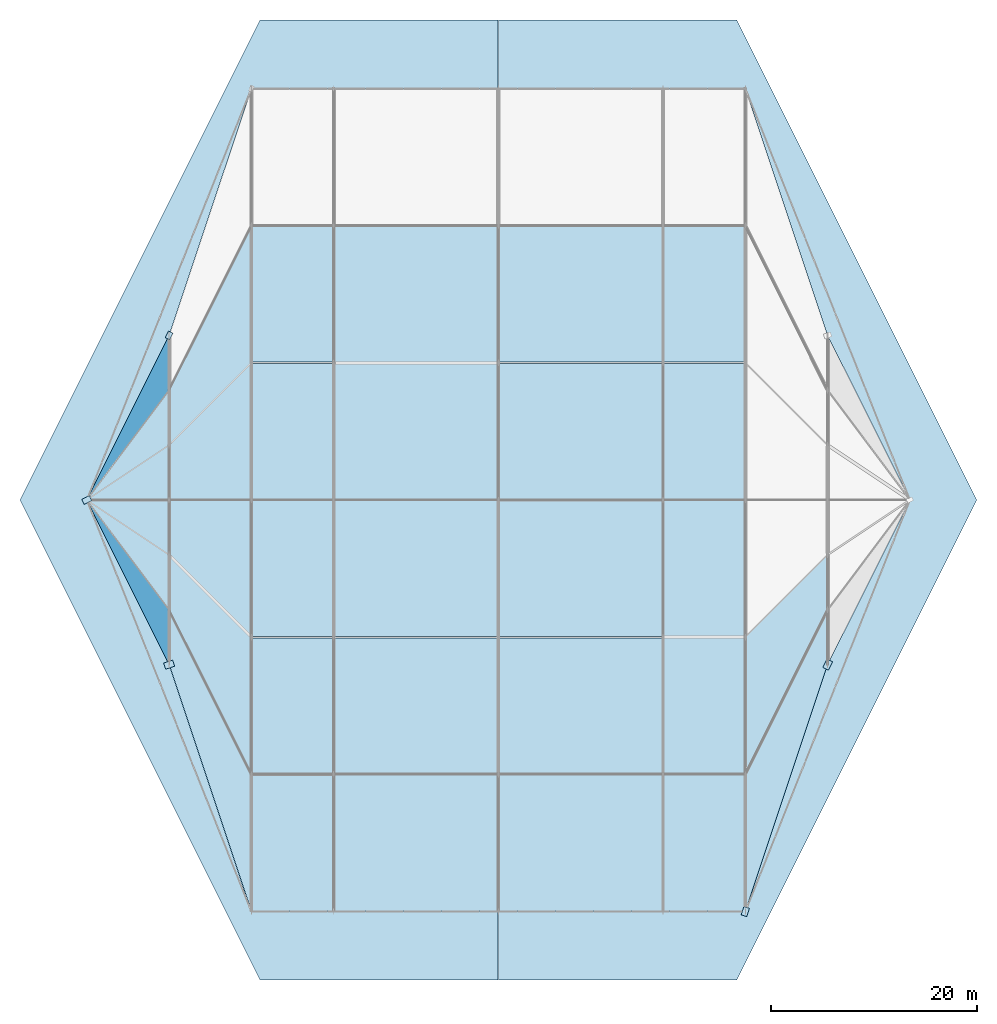
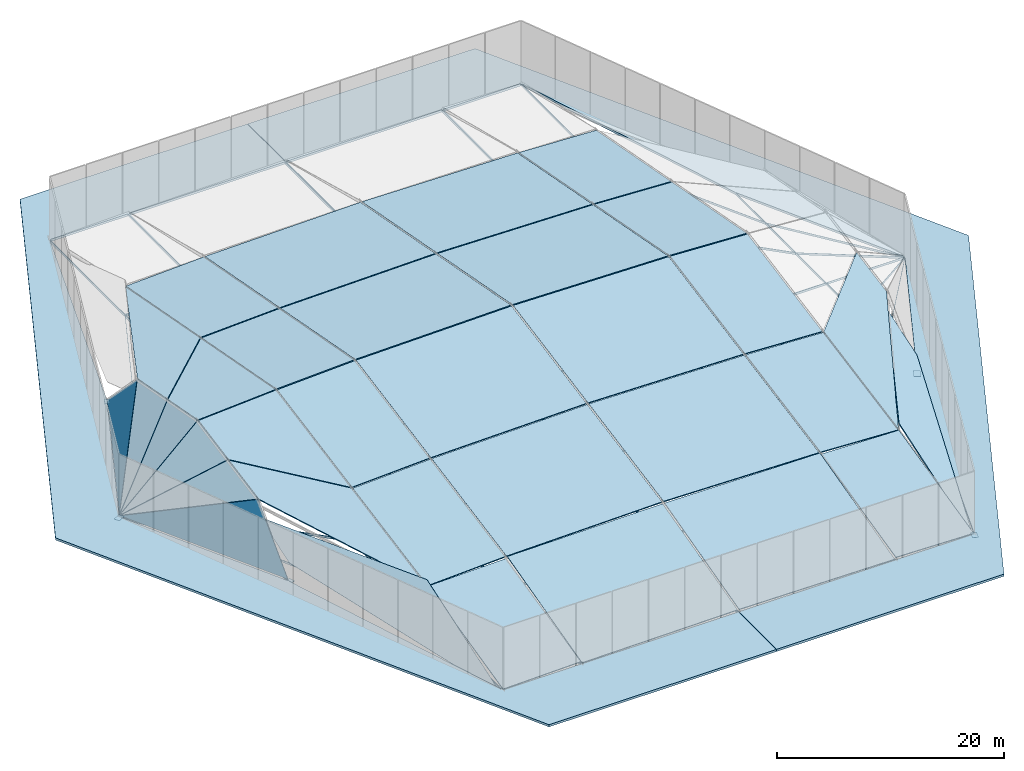
# One storey, part 20 of 30: 35 slabs, 5 plates.
"""IFC4 building model written with IfcOpenShell, lengths in metres."""

from ifc_helpers import new_model, si_unit, direction, frame, origin, origin_2d, place, context, subcontext, project, spatial, polyline, rectangle, outline, extrude, material, layer, layer_set, type_object, element, save


model = new_model("IFC4")

# Units and contexts
model_context = context("Model", 3, precision=1e-05, world=origin(), true_north=direction((0.0, 1.0)))
body_context = subcontext(model_context, "Body", "Model", "MODEL_VIEW")
ifc_project = project(units=[si_unit("LENGTHUNIT", "METRE"), si_unit("AREAUNIT", "SQUARE_METRE"), si_unit("VOLUMEUNIT", "CUBIC_METRE"), si_unit("PLANEANGLEUNIT", "RADIAN"), si_unit("MASSUNIT", "GRAM", prefix="KILO")], contexts=[model_context])

# Site, building, storey
site_placement = place(None, origin())
site = spatial("IfcSite", under=ifc_project, at=site_placement, CompositionType="ELEMENT")
building_placement = place(site_placement, origin())
building = spatial("IfcBuilding", under=site, at=building_placement, Name="Tazarka Park Arena", CompositionType="ELEMENT")
storey_placement = place(building_placement, frame((0.0, 0.0, 29.39990234375)))
storey = spatial("IfcBuildingStorey", under=building, at=storey_placement, Name="Roof", CompositionType="ELEMENT", Elevation=29.39990234375)

# Plates
ifc_material_1 = material(Name="Steel S460", Category="steel")
ifc_layer_1 = layer(ifc_material_1, 0.035888671875, Name="Steel S460")
ifc_layer_set_1 = layer_set([ifc_layer_1], Name="Steel S460")
plate_type_1 = type_object("IfcPlateType", Name="PLT-PL-02", PredefinedType="SHEET", material=ifc_layer_set_1)
plate_placement = place(storey_placement, frame((56.0, 80.0, -0.1376953125), z_axis=(0.0, 0.0, 1.0), x_axis=(0.447290848419, 0.89438856037, 0.0)))
element("IfcPlate", 1, at=plate_placement, inside=storey, type_object=plate_type_1, Name="RPL-17", PredefinedType="SHEET", context=body_context, shape_type="SweptSolid", body=[
    extrude(rectangle(XDim=0.719970703125, YDim=0.47998046875, at=origin_2d()), origin(), (0.0, 0.0, 1.0), 0.035888671875),
])
ifc_material_2 = material(Name="Steel S460", Category="steel")
ifc_layer_2 = layer(ifc_material_2, 0.0400390625, Name="Steel S460")
ifc_layer_set_2 = layer_set([ifc_layer_2], Name="Steel S460")
plate_type_2 = type_object("IfcPlateType", Name="PLT-PL-03", PredefinedType="SHEET", material=ifc_layer_set_2)
for number, where, z_axis, x_axis, name in (
    (2, (112.0, 24.0, -0.139892578125), (0.0, 0.0, 1.0), (0.316145823974, 0.948710608133, 0.0), "RPL-06"),
    (3, (48.0, 64.0, -0.139892578125), (0.0, 0.0, 1.0), (0.89438856037, 0.447290848419, 0.0), "RPL-18"),
):
    element("IfcPlate", number, at=place(storey_placement, frame(where, z_axis=z_axis, x_axis=x_axis)), inside=storey, type_object=plate_type_2, Name=name, PredefinedType="SHEET", context=body_context, shape_type="SweptSolid", body=[
        extrude(rectangle(XDim=0.840087890625, YDim=0.56005859375, at=origin_2d()), origin(), (0.0, 0.0, 1.0), 0.0400390625),
    ])
ifc_material_3 = material(Name="Steel S460", Category="steel")
ifc_layer_3 = layer(ifc_material_3, 0.0439453125, Name="Steel S460")
ifc_layer_set_3 = layer_set([ifc_layer_3], Name="Steel S460")
plate_type_3 = type_object("IfcPlateType", Name="PLT-PL-07", PredefinedType="SHEET", material=ifc_layer_set_3)
for number, where, z_axis, x_axis, name in (
    (4, (120.0, 48.0, -0.141845703125), (0.0, 0.0, 1.0), (0.447290848419, 0.89438856037, 0.0), "RPL-07"),
    (5, (56.0, 48.0, -0.141845703125), (0.0, 0.0, 1.0), (0.948710608133, 0.316145823974, 0.0), "RPL-19"),
):
    element("IfcPlate", number, at=place(storey_placement, frame(where, z_axis=z_axis, x_axis=x_axis)), inside=storey, type_object=plate_type_3, Name=name, PredefinedType="SHEET", context=body_context, shape_type="SweptSolid", body=[
        extrude(rectangle(XDim=0.919921875, YDim=0.6201171875, at=origin_2d()), origin(), (0.0, 0.0, 1.0), 0.0439453125),
    ])

# Slabs
ifc_material_4 = material(Name="Concrete C35/45", Category="concrete")
ifc_layer_4 = layer(ifc_material_4, 0.1201171875, Name="Concrete C35/45")
ifc_layer_set_4 = layer_set([ifc_layer_4], Name="Concrete C35/45")
slab_type_1 = type_object("IfcSlabType", Name="SLB-RS-01", PredefinedType="ROOF", material=ifc_layer_set_4)
slab_1_placement = place(storey_placement, frame((48.05322265625, 63.94677734375, 0.159912109375), z_axis=(-0.675437788554, -0.136639878069, 0.724647043405), x_axis=(0.555465491457, -0.74060924039, 0.37809528012)))
element("IfcSlab", 6, at=slab_1_placement, inside=storey, type_object=slab_type_1, Name="RSL-T-00-1-1", PredefinedType="ROOF", context=body_context, shape_type="SweptSolid", body=[
    extrude(outline(polyline([(0.0, 0.0), (14.258610368116685, 1.3322676295501878e-15), (10.724605609916042, 4.047313923366762), (0.0, 0.0)])), origin(), (0.0, 0.0, -1.0), 0.1201171875),
])
slab_2_placement = place(storey_placement, frame((48.05322265625, 63.982177734375, 0.16650390625), z_axis=(-0.675446258872, -0.136676898517, 0.724632166542), x_axis=(0.690946319455, -0.460602481567, 0.5571701155)))
element("IfcSlab", 7, at=slab_2_placement, inside=storey, type_object=slab_type_1, Name="RSL-T-00-2-1", PredefinedType="ROOF", context=body_context, shape_type="SweptSolid", body=[
    extrude(outline(polyline([(0.0, 0.0), (11.462780526679406, -4.440892098500626e-16), (9.585756023444398, 5.034344719514699), (0.0, 0.0)])), origin(), (0.0, 0.0, -1.0), 0.1201171875),
])
slab_3_placement = place(storey_placement, frame((48.05322265625, 64.017822265625, 0.16650390625), z_axis=(-0.675446258872, 0.136676898517, 0.724632166542), x_axis=(0.731496766295, 0.0, 0.681844909712)))
element("IfcSlab", 8, at=slab_3_placement, inside=storey, type_object=slab_type_1, Name="RSL-T-00-3-1", PredefinedType="ROOF", context=body_context, shape_type="SweptSolid", body=[
    extrude(outline(polyline([(0.0, 0.0), (10.827342485388835, -1.1102230246251565e-16), (10.148327498397425, 5.329801721273618), (0.0, 0.0)])), origin(), (0.0, 0.0, -1.0), 0.1201171875),
])
slab_4_placement = place(storey_placement, frame((48.05322265625, 64.05322265625, 0.159912109375), z_axis=(-0.675437788554, 0.136639878069, 0.724647043405), x_axis=(0.6909395411, 0.460619261285, 0.557164649523)))
element("IfcSlab", 9, at=slab_4_placement, inside=storey, type_object=slab_type_1, Name="RSL-T-00-4-1", PredefinedType="ROOF", context=body_context, shape_type="SweptSolid", body=[
    extrude(outline(polyline([(0.0, 0.0), (11.462892980505448, -8.881784197001252e-16), (13.340260002738713, 5.034424762482223), (0.0, 0.0)])), origin(), (0.0, 0.0, -1.0), 0.1201171875),
])
slab_5_placement = place(storey_placement, frame((56.0400390625, 53.300048828125, 5.56201171875), z_axis=(-0.063974654396, -0.184929388389, 0.980667305922), x_axis=(0.442920763743, -0.8858523015, -0.138155336388)))
element("IfcSlab", 10, at=slab_5_placement, inside=storey, type_object=slab_type_1, Name="RSL-Q-01-1", PredefinedType="ROOF", context=body_context, shape_type="SweptSolid", body=[
    extrude(outline(polyline([(0.0, 0.0), (17.881149522221143, 4.440892098500626e-16), (5.844071875816953, 5.961766659809803), (-4.814908042398759, 2.384761274533106), (0.0, 0.0)])), origin(), (0.0, 0.0, -1.0), 0.1201171875),
])
slab_6_placement = place(storey_placement, frame((56.0400390625, 58.67333984375, 6.575439453125), z_axis=(-0.063957696364, -0.184929589814, 0.980668374063), x_axis=(0.704431209415, -0.704432866506, -0.086896534963)))
element("IfcSlab", 11, at=slab_6_placement, inside=storey, type_object=slab_type_1, Name="RSL-Q-01-2", PredefinedType="ROOF", context=body_context, shape_type="SweptSolid", body=[
    extrude(outline(polyline([(0.0, 0.0), (11.242995741160133, -1.3877787807814457e-16), (1.7282084208850574, 9.48176869794374), (-3.805940838256348, 3.7927238174368028), (0.0, 0.0)])), origin(), (0.0, 0.0, -1.0), 0.1201171875),
])
slab_7_placement = place(storey_placement, frame((56.0400390625, 64.046630859375, 7.571044921875), z_axis=(-0.063957696364, 0.184929589814, 0.980668374063), x_axis=(0.997880014342, -1.744172e-06, 0.065080542211)))
element("IfcSlab", 12, at=slab_7_placement, inside=storey, type_object=slab_type_1, Name="RSL-Q-01-3", PredefinedType="ROOF", context=body_context, shape_type="SweptSolid", body=[
    extrude(outline(polyline([(0.0, 0.0), (7.936752464004251, 0.0), (7.774727192883392, 13.431636653918659), (-0.064803753011808, 5.37268462626045), (0.0, 0.0)])), origin(), (0.0, 0.0, -1.0), 0.1201171875),
])
slab_8_placement = place(storey_placement, frame((56.0400390625, 69.419921875, 6.557861328125), z_axis=(-0.063974654396, 0.184929388389, 0.980667305922), x_axis=(0.704419923539, 0.704445281296, -0.086887381022)))
element("IfcSlab", 13, at=slab_8_placement, inside=storey, type_object=slab_type_1, Name="RSL-Q-01-4", PredefinedType="ROOF", context=body_context, shape_type="SweptSolid", body=[
    extrude(outline(polyline([(0.0, 0.0), (11.243167721920024, 2.220446049250313e-16), (20.758074917563455, 9.481584310118015), (3.8060184877391308, 3.792709989474143), (0.0, 0.0)])), origin(), (0.0, 0.0, -1.0), 0.1201171875),
])
slab_9_placement = place(storey_placement, frame((64.0400390625, 37.39990234375, 3.0849609375), z_axis=(-0.045738861442, -0.185108459931, 0.981653102993), x_axis=(0.998916252726, 2.797707e-06, 0.046543743218)))
element("IfcSlab", 14, at=slab_9_placement, inside=storey, type_object=slab_type_1, Name="RSL-Q-02-1", PredefinedType="ROOF", context=body_context, shape_type="SweptSolid", body=[
    extrude(outline(polyline([(0.0, 0.0), (7.928519867716137, -1.3877787807814457e-17), (8.044404811206043, 13.432308662789154), (0.11589630670846476, 13.43235380627577), (0.0, 0.0)])), origin(), (0.0, 0.0, -1.0), 0.1201171875),
])
slab_10_placement = place(storey_placement, frame((64.0400390625, 50.7333984375, 5.59912109375), z_axis=(-0.045753854175, -0.185120405185, 0.981650151741), x_axis=(0.99891556132, 0.0, 0.0465585798)))
element("IfcSlab", 15, at=slab_10_placement, inside=storey, type_object=slab_type_1, Name="RSL-Q-02-2", PredefinedType="ROOF", context=body_context, shape_type="SweptSolid", body=[
    extrude(outline(polyline([(0.0, 0.0), (7.928519868621691, -1.3877787807814457e-17), (8.044416177128026, 13.432113885857698), (0.11589630850633459, 13.432113885857696), (0.0, 0.0)])), origin(), (0.0, 0.0, -1.0), 0.1201171875),
])
slab_11_placement = place(storey_placement, frame((64.0400390625, 64.066650390625, 8.08837890625), z_axis=(-0.045753854175, 0.185120405185, 0.981650151741), x_axis=(0.99891556132, 0.0, 0.0465585798)))
element("IfcSlab", 16, at=slab_11_placement, inside=storey, type_object=slab_type_1, Name="RSL-Q-02-3", PredefinedType="ROOF", context=body_context, shape_type="SweptSolid", body=[
    extrude(outline(polyline([(0.0, 0.0), (7.928519868621691, 1.3877787807814457e-17), (7.812623560115356, 13.432113885857696), (-0.11589630850633459, 13.432113885857696), (0.0, 0.0)])), origin(), (0.0, 0.0, -1.0), 0.1201171875),
])
slab_12_placement = place(storey_placement, frame((64.0400390625, 77.39990234375, 5.57421875), z_axis=(-0.045738861442, 0.185108459931, 0.981653102993), x_axis=(0.998916301781, 2.797711e-06, 0.046542690386)))
element("IfcSlab", 17, at=slab_12_placement, inside=storey, type_object=slab_type_1, Name="RSL-Q-02-4", PredefinedType="ROOF", context=body_context, shape_type="SweptSolid", body=[
    extrude(outline(polyline([(0.0, 0.0), (7.928508504626097, -1.3877787807814457e-17), (7.812700042262607, 13.432309322399231), (-0.11581982532500987, 13.432354465950546), (0.0, 0.0)])), origin(), (0.0, 0.0, -1.0), 0.1201171875),
])
slab_13_placement = place(storey_placement, frame((72.080078125, 37.39990234375, 3.45751953125), z_axis=(-0.018308644441, -0.185262557882, 0.982518487452), x_axis=(0.999826424735, 0.0, 0.018631167502)))
element("IfcSlab", 18, at=slab_13_placement, inside=storey, type_object=slab_type_1, Name="RSL-Q-03-1", PredefinedType="ROOF", context=body_context, shape_type="SweptSolid", body=[
    extrude(outline(polyline([(0.0, 0.0), (15.842593632394728, 6.938893903907228e-18), (15.888966863029214, 13.432728496861989), (0.04637323063448693, 13.432728496861989), (0.0, 0.0)])), origin(), (0.0, 0.0, -1.0), 0.1201171875),
])
slab_14_placement = place(storey_placement, frame((72.080078125, 50.7333984375, 5.9716796875), z_axis=(-0.018316171254, -0.185274615345, 0.982516073548), x_axis=(0.999826286101, -1.402618e-06, 0.018638605621)))
element("IfcSlab", 19, at=slab_14_placement, inside=storey, type_object=slab_type_1, Name="RSL-Q-03-2", PredefinedType="ROOF", context=body_context, shape_type="SweptSolid", body=[
    extrude(outline(polyline([(0.0, 0.0), (15.842593631940744, 1.3877787807814457e-17), (15.888971412109411, 13.432533807294085), (0.04637322972784234, 13.432488582085035), (0.0, 0.0)])), origin(), (0.0, 0.0, -1.0), 0.1201171875),
])
slab_15_placement = place(storey_placement, frame((72.080078125, 64.066650390625, 8.460693359375), z_axis=(-0.018316171254, 0.185274615345, 0.982516073548), x_axis=(0.999826276243, -1.402617e-06, 0.018639134425)))
element("IfcSlab", 20, at=slab_15_placement, inside=storey, type_object=slab_type_1, Name="RSL-Q-03-3", PredefinedType="ROOF", context=body_context, shape_type="SweptSolid", body=[
    extrude(outline(polyline([(0.0, 0.0), (15.84259818244612, -6.938893903907228e-18), (15.796182056979573, 13.432533674846622), (-0.04641157489661878, 13.432488449650567), (0.0, 0.0)])), origin(), (0.0, 0.0, -1.0), 0.1201171875),
])
for number, where, z_axis, x_axis, name in (
    (21, (72.080078125, 77.39990234375, 5.946533203125), (-0.018308644441, 0.185262557882, 0.982518487452), (0.999826424735, 0.0, 0.018631167502), "RSL-Q-03-4"),
    (22, (88.080078125, 37.39990234375, 3.752685546875), (0.018308644441, -0.185262557882, 0.982518487452), (0.999826424735, 0.0, -0.018631167502), "RSL-Q-04-1"),
):
    element("IfcSlab", number, at=place(storey_placement, frame(where, z_axis=z_axis, x_axis=x_axis)), inside=storey, type_object=slab_type_1, Name=name, PredefinedType="ROOF", context=body_context, shape_type="SweptSolid", body=[
        extrude(outline(polyline([(0.0, 0.0), (15.842593632394728, -6.938893903907228e-18), (15.796220401760241, 13.43272849686199), (-0.04637323063448693, 13.432728496861989), (0.0, 0.0)])), origin(), (0.0, 0.0, -1.0), 0.1201171875),
    ])
slab_16_placement = place(storey_placement, frame((88.080078125, 50.7333984375, 6.266845703125), z_axis=(0.018316171254, -0.185274615345, 0.982516073548), x_axis=(0.999826286101, 1.402618e-06, -0.018638605621)))
element("IfcSlab", 23, at=slab_16_placement, inside=storey, type_object=slab_type_1, Name="RSL-Q-04-2", PredefinedType="ROOF", context=body_context, shape_type="SweptSolid", body=[
    extrude(outline(polyline([(0.0, 0.0), (15.842593631940744, -1.3877787807814457e-17), (15.796220402212901, 13.432488582085035), (-0.046377780168667726, 13.432533807294083), (0.0, 0.0)])), origin(), (0.0, 0.0, -1.0), 0.1201171875),
])
slab_17_placement = place(storey_placement, frame((88.080078125, 64.066650390625, 8.756103515625), z_axis=(0.018316171254, 0.185274615345, 0.982516073548), x_axis=(0.999826276243, 1.402617e-06, -0.018639134425)))
element("IfcSlab", 24, at=slab_17_placement, inside=storey, type_object=slab_type_1, Name="RSL-Q-04-3", PredefinedType="ROOF", context=body_context, shape_type="SweptSolid", body=[
    extrude(outline(polyline([(0.0, 0.0), (15.84259818244612, 6.938893903907228e-18), (15.88900975734274, 13.432488449650567), (0.046416125466546686, 13.432533674846624), (0.0, 0.0)])), origin(), (0.0, 0.0, -1.0), 0.1201171875),
])
slab_18_placement = place(storey_placement, frame((88.080078125, 77.39990234375, 6.24169921875), z_axis=(0.018308644441, 0.185262557882, 0.982518487452), x_axis=(0.999826424735, 0.0, -0.018631167502)))
element("IfcSlab", 25, at=slab_18_placement, inside=storey, type_object=slab_type_1, Name="RSL-Q-04-4", PredefinedType="ROOF", context=body_context, shape_type="SweptSolid", body=[
    extrude(outline(polyline([(0.0, 0.0), (15.842593632394728, 6.938893903907228e-18), (15.888966863029214, 13.432728496861989), (0.04637323063448693, 13.432728496861989), (0.0, 0.0)])), origin(), (0.0, 0.0, -1.0), 0.1201171875),
])
slab_19_placement = place(storey_placement, frame((104.0400390625, 37.39990234375, 3.4541015625), z_axis=(0.045738861442, -0.185108459931, 0.981653102993), x_axis=(0.998916252726, -2.797707e-06, -0.046543743218)))
element("IfcSlab", 26, at=slab_19_placement, inside=storey, type_object=slab_type_1, Name="RSL-Q-05-1", PredefinedType="ROOF", context=body_context, shape_type="SweptSolid", body=[
    extrude(outline(polyline([(0.0, 0.0), (7.928519867716137, 1.3877787807814457e-17), (7.812623561007672, 13.43235380627577), (-0.11588494348990573, 13.432308662789154), (0.0, 0.0)])), origin(), (0.0, 0.0, -1.0), 0.1201171875),
])
slab_20_placement = place(storey_placement, frame((104.0400390625, 50.7333984375, 5.96826171875), z_axis=(0.045753854175, -0.185120405185, 0.981650151741), x_axis=(0.99891556132, 0.0, -0.0465585798)))
element("IfcSlab", 27, at=slab_20_placement, inside=storey, type_object=slab_type_1, Name="RSL-Q-05-2", PredefinedType="ROOF", context=body_context, shape_type="SweptSolid", body=[
    extrude(outline(polyline([(0.0, 0.0), (7.928519868621691, 1.3877787807814457e-17), (7.812623560115356, 13.432113885857696), (-0.11589630850633459, 13.432113885857696), (0.0, 0.0)])), origin(), (0.0, 0.0, -1.0), 0.1201171875),
])
slab_21_placement = place(storey_placement, frame((104.0400390625, 64.066650390625, 8.45751953125), z_axis=(0.045753854175, 0.185120405185, 0.981650151741), x_axis=(0.99891556132, 0.0, -0.0465585798)))
element("IfcSlab", 28, at=slab_21_placement, inside=storey, type_object=slab_type_1, Name="RSL-Q-05-3", PredefinedType="ROOF", context=body_context, shape_type="SweptSolid", body=[
    extrude(outline(polyline([(0.0, 0.0), (7.928519868621691, -1.3877787807814457e-17), (8.044416177128026, 13.432113885857698), (0.11589630850633459, 13.432113885857696), (0.0, 0.0)])), origin(), (0.0, 0.0, -1.0), 0.1201171875),
])
slab_22_placement = place(storey_placement, frame((104.0400390625, 77.39990234375, 5.943115234375), z_axis=(0.045738861442, 0.185108459931, 0.981653102993), x_axis=(0.998916301781, -2.797711e-06, -0.046542690386)))
element("IfcSlab", 29, at=slab_22_placement, inside=storey, type_object=slab_type_1, Name="RSL-Q-05-4", PredefinedType="ROOF", context=body_context, shape_type="SweptSolid", body=[
    extrude(outline(polyline([(0.0, 0.0), (7.928508504626097, 1.3877787807814457e-17), (8.044328329951107, 13.432354465950546), (0.11580846236348982, 13.432309322399231), (0.0, 0.0)])), origin(), (0.0, 0.0, -1.0), 0.1201171875),
])
slab_23_placement = place(storey_placement, frame((112.0400390625, 37.4599609375, 3.091796875), z_axis=(0.063974654396, -0.184929388389, 0.980667305922), x_axis=(0.442920763743, 0.8858523015, 0.138155336388)))
element("IfcSlab", 30, at=slab_23_placement, inside=storey, type_object=slab_type_1, Name="RSL-Q-06-1", PredefinedType="ROOF", context=body_context, shape_type="SweptSolid", body=[
    extrude(outline(polyline([(0.0, 0.0), (17.881149522221143, -4.440892098500626e-16), (22.696057564619903, 2.3847612745331057), (12.037077646404192, 5.961766659809803), (0.0, 0.0)])), origin(), (0.0, 0.0, -1.0), 0.1201171875),
])
ifc_material_5 = material(Name="Concrete C35/45", Category="concrete")
ifc_layer_5 = layer(ifc_material_5, 0.239990234375, Name="Concrete C35/45")
ifc_layer_set_5 = layer_set([ifc_layer_5], Name="Concrete C35/45")
slab_type_2 = type_object("IfcSlabType", Name="SLB-RS-02", PredefinedType="ROOF", material=ifc_layer_set_5)
slab_24_placement = place(storey_placement, frame((0.0, 0.0, -0.239990234375)))
element("IfcSlab", 31, at=slab_24_placement, inside=storey, type_object=slab_type_2, Name="RSL-APR-01", PredefinedType="ROOF", context=body_context, shape_type="SweptSolid", body=[
    extrude(outline(polyline([(64.835205078125, 110.648681640625), (87.97998046875, 110.648681640625), (87.97998046875, 17.351318359375), (64.835205078125, 17.351318359375), (41.510986328125, 64.0), (64.835205078125, 110.648681640625)]), holes=[polyline([(72.0791015625, 90.610107421875), (72.07373046875, 77.392333984375), (87.927734375, 77.393798828125), (87.92626953125, 90.607666015625), (72.0791015625, 90.610107421875)]), polyline([(72.0791015625, 77.276611328125), (72.07373046875, 64.05908203125), (87.927734375, 64.060302734375), (87.92626953125, 77.2744140625), (72.0791015625, 77.276611328125)]), polyline([(72.0791015625, 50.610107421875), (72.07373046875, 37.392333984375), (87.927734375, 37.393798828125), (87.92626953125, 50.607666015625), (72.0791015625, 50.610107421875)]), polyline([(72.0791015625, 37.276611328125), (72.07373046875, 24.05908203125), (87.927734375, 24.060302734375), (87.92626953125, 37.2744140625), (72.0791015625, 37.276611328125)]), polyline([(72.070068359375, 90.732421875), (87.92626953125, 90.7255859375), (87.927734375, 103.939697265625), (72.07373046875, 103.94091796875), (72.070068359375, 90.732421875)]), polyline([(72.070068359375, 50.732421875), (87.92626953125, 50.7255859375), (87.927734375, 63.939697265625), (72.07373046875, 63.94091796875), (72.070068359375, 50.732421875)]), polyline([(64.030029296875, 90.732421875), (71.96826171875, 90.727783203125), (71.965576171875, 103.941650390625), (64.03173828125, 103.93896484375), (64.030029296875, 90.732421875)]), polyline([(64.0390625, 37.276611328125), (64.03173828125, 24.06103515625), (71.965576171875, 24.058349609375), (71.96826171875, 37.272216796875), (64.0390625, 37.276611328125)]), polyline([(64.0390625, 50.610107421875), (64.03173828125, 37.394287109375), (71.965576171875, 37.3916015625), (71.96826171875, 50.605712890625), (64.0390625, 50.610107421875)]), polyline([(64.0390625, 63.943359375), (64.03173828125, 50.727783203125), (71.965576171875, 50.72509765625), (71.96826171875, 63.93896484375), (64.0390625, 63.943359375)]), polyline([(64.0390625, 77.276611328125), (64.03173828125, 64.06103515625), (71.965576171875, 64.058349609375), (71.96826171875, 77.272216796875), (64.0390625, 77.276611328125)]), polyline([(64.0390625, 90.610107421875), (64.03173828125, 77.394287109375), (71.965576171875, 77.3916015625), (71.96826171875, 90.605712890625), (64.0390625, 90.610107421875)]), polyline([(56.04638671875, 58.587646484375), (56.03076171875, 53.29638671875), (63.963623046875, 37.45068359375), (63.96923828125, 50.663818359375), (56.04638671875, 58.587646484375)]), polyline([(56.0390625, 63.96337890625), (56.03173828125, 58.667724609375), (63.965576171875, 50.7451171875), (63.96826171875, 63.958984375), (56.0390625, 63.96337890625)]), polyline([(56.0302734375, 80.075439453125), (56.040283203125, 74.783447265625), (63.969482421875, 90.630615234375), (63.962890625, 103.8427734375), (56.0302734375, 80.075439453125)]), polyline([(56.030029296875, 69.4189453125), (63.96923828125, 77.336181640625), (63.963623046875, 90.54931640625), (56.03076171875, 74.70361328125), (56.030029296875, 69.4189453125)]), polyline([(56.030029296875, 64.045654296875), (63.96826171875, 64.041015625), (63.965576171875, 77.2548828125), (56.03173828125, 69.332275390625), (56.030029296875, 64.045654296875)]), polyline([(56.030029296875, 47.925537109375), (63.950439453125, 24.16357421875), (63.969482421875, 37.369384765625), (56.040283203125, 53.216552734375), (56.030029296875, 47.925537109375)]), polyline([(55.9658203125, 53.3798828125), (55.98095703125, 58.673095703125), (48.047119140625, 63.95458984375), (55.9658203125, 53.3798828125)]), polyline([(55.9833984375, 63.983154296875), (48.05322265625, 63.9921875), (55.973388671875, 58.6923828125), (55.9833984375, 63.983154296875)]), polyline([(55.9833984375, 53.35205078125), (48.061279296875, 63.9169921875), (55.97314453125, 48.06103515625), (55.9833984375, 53.35205078125)]), polyline([(55.981689453125, 74.643798828125), (55.97314453125, 79.93896484375), (48.047119140625, 64.0810546875), (55.981689453125, 74.643798828125)]), polyline([(55.9794921875, 69.32568359375), (55.972900390625, 74.623291015625), (48.045166015625, 64.047607421875), (55.9794921875, 69.32568359375)]), polyline([(55.974365234375, 64.0078125), (55.973388671875, 69.3076171875), (48.043212890625, 64.017822265625), (55.974365234375, 64.0078125)])]), origin(), (0.0, 0.0, 1.0), 0.239990234375),
])
slab_25_placement = place(storey_placement, frame((0.0, 0.0, -0.239990234375)))
element("IfcSlab", 32, at=slab_25_placement, inside=storey, type_object=slab_type_2, Name="RSL-APR-02", PredefinedType="ROOF", context=body_context, shape_type="SweptSolid", body=[
    extrude(outline(polyline([(111.164794921875, 110.648681640625), (134.489013671875, 64.0), (111.164794921875, 17.351318359375), (88.02001953125, 17.351318359375), (88.02001953125, 110.648681640625), (111.164794921875, 110.648681640625)]), holes=[polyline([(120.031494140625, 69.306396484375), (120.02099609375, 64.009521484375), (127.955078125, 64.01220703125), (120.031494140625, 69.306396484375)]), polyline([(127.952880859375, 63.974609375), (120.02099609375, 63.990478515625), (120.018310546875, 58.69677734375), (127.952880859375, 63.974609375)]), polyline([(127.9560546875, 63.907470703125), (120.017578125, 53.35546875), (120.022216796875, 48.062255859375), (127.9560546875, 63.907470703125)]), polyline([(120.017578125, 74.64453125), (127.95556640625, 64.093505859375), (120.022216796875, 79.937744140625), (120.017578125, 74.64453125)]), polyline([(127.955078125, 63.94140625), (120.01904296875, 58.673095703125), (120.0205078125, 53.37890625), (127.955078125, 63.94140625)]), polyline([(120.01904296875, 69.326904296875), (127.95458984375, 64.059326171875), (120.0205078125, 74.62109375), (120.01904296875, 69.326904296875)]), polyline([(112.030029296875, 37.458984375), (119.96923828125, 53.29638671875), (119.9638671875, 58.589111328125), (112.03076171875, 50.663818359375), (112.030029296875, 37.458984375)]), polyline([(112.030029296875, 50.75244140625), (119.96826171875, 58.667724609375), (119.965576171875, 63.961669921875), (112.03173828125, 63.958984375), (112.030029296875, 50.75244140625)]), polyline([(112.03076171875, 37.3701171875), (112.039794921875, 24.15673828125), (119.9697265625, 47.924560546875), (119.964599609375, 53.215576171875), (112.03076171875, 37.3701171875)]), polyline([(112.04638671875, 77.25439453125), (112.03125, 64.0419921875), (119.964599609375, 64.037841796875), (119.96875, 69.331298828125), (112.04638671875, 77.25439453125)]), polyline([(112.048583984375, 90.54541015625), (112.03076171875, 77.336181640625), (119.9638671875, 69.410888671875), (119.96923828125, 74.70361328125), (112.048583984375, 90.54541015625)]), polyline([(112.049072265625, 103.83740234375), (112.030517578125, 90.630615234375), (119.962890625, 74.78369140625), (119.9697265625, 80.075439453125), (112.049072265625, 103.83740234375)]), polyline([(104.0390625, 103.943359375), (104.03173828125, 90.727783203125), (111.965576171875, 90.72509765625), (111.96826171875, 103.93896484375), (104.0390625, 103.943359375)]), polyline([(104.0390625, 63.943359375), (104.03173828125, 50.727783203125), (111.965576171875, 50.72509765625), (111.96826171875, 63.93896484375), (104.0390625, 63.943359375)]), polyline([(104.0390625, 50.610107421875), (104.03173828125, 37.394287109375), (111.965576171875, 37.3916015625), (111.96826171875, 50.605712890625), (104.0390625, 50.610107421875)]), polyline([(104.0390625, 37.276611328125), (104.03173828125, 24.06103515625), (111.965576171875, 24.058349609375), (111.96826171875, 37.272216796875), (104.0390625, 37.276611328125)]), polyline([(104.030029296875, 77.39892578125), (111.96826171875, 77.394287109375), (111.965576171875, 90.6083984375), (104.03173828125, 90.605712890625), (104.030029296875, 77.39892578125)]), polyline([(104.030029296875, 64.065673828125), (111.96826171875, 64.06103515625), (111.965576171875, 77.27490234375), (104.03173828125, 77.272216796875), (104.030029296875, 64.065673828125)]), polyline([(88.070068359375, 24.065673828125), (103.92626953125, 24.05908203125), (103.927734375, 37.27294921875), (88.07373046875, 37.2744140625), (88.070068359375, 24.065673828125)]), polyline([(88.0791015625, 103.943359375), (88.07373046875, 90.7255859375), (103.927734375, 90.72705078125), (103.92626953125, 103.94091796875), (88.0791015625, 103.943359375)]), polyline([(88.0791015625, 90.610107421875), (88.07373046875, 77.392333984375), (103.927734375, 77.393798828125), (103.92626953125, 90.607666015625), (88.0791015625, 90.610107421875)]), polyline([(88.0791015625, 63.943359375), (88.07373046875, 50.7255859375), (103.927734375, 50.72705078125), (103.92626953125, 63.94091796875), (88.0791015625, 63.943359375)]), polyline([(88.070068359375, 64.065673828125), (103.92626953125, 64.05908203125), (103.927734375, 77.27294921875), (88.07373046875, 77.2744140625), (88.070068359375, 64.065673828125)]), polyline([(88.070068359375, 37.39892578125), (103.92626953125, 37.392333984375), (103.927734375, 50.606201171875), (88.07373046875, 50.607666015625), (88.070068359375, 37.39892578125)])]), origin(), (0.0, 0.0, 1.0), 0.239990234375),
])
ifc_material_6 = material(Name="Steel S355", Category="steel")
ifc_layer_6 = layer(ifc_material_6, 0.10009765625, Name="Steel S355")
ifc_layer_set_6 = layer_set([ifc_layer_6], Name="Steel S355")
slab_type_3 = type_object("IfcSlabType", Name="SLB-RS-05", PredefinedType="ROOF", material=ifc_layer_set_6)
slab_26_placement = place(storey_placement, frame((48.05322265625, 63.9111328125, 0.13818359375), z_axis=(-0.819287729406, -0.409650178475, 0.401191161069), x_axis=(0.447219109737, -0.89442443386, 0.0)))
element("IfcSlab", 33, at=slab_26_placement, inside=storey, type_object=slab_type_3, Name="RSL-T-00-0-1", PredefinedType="ROOF", context=body_context, shape_type="SweptSolid", body=[
    extrude(outline(polyline([(0.0, 0.0), (17.709811238344297, -4.440892098500626e-16), (12.987224023722234, 5.885797671221222), (0.0, 0.0)])), origin(), (0.0, 0.0, -1.0), 0.10009765625),
])
slab_27_placement = place(storey_placement, frame((56.0400390625, 47.9267578125, 1.961181640625), z_axis=(-0.538368333626, -0.265241965733, 0.799878888934), x_axis=(0.314603997063, -0.94381059027, -0.101222007122)))
element("IfcSlab", 34, at=slab_27_placement, inside=storey, type_object=slab_type_3, Name="RSL-Q-01-0", PredefinedType="ROOF", context=body_context, shape_type="SweptSolid", body=[
    extrude(outline(polyline([(0.0, 0.0), (25.174511281431123, -1.7763568394002505e-15), (12.273213593972233, 5.1916228248804055), (-5.16035450690091, 2.0767261638476757), (0.0, 0.0)])), origin(), (0.0, 0.0, -1.0), 0.10009765625),
])
slab_28_placement = place(storey_placement, frame((64.0400390625, 24.066650390625, 0.04345703125), z_axis=(-0.022679380208, -0.22895233151, 0.973173404697), x_axis=(0.999728559249, 0.0, 0.023298236461)))
element("IfcSlab", 35, at=slab_28_placement, inside=storey, type_object=slab_type_3, Name="RSL-Q-02-0", PredefinedType="ROOF", context=body_context, shape_type="SweptSolid", body=[
    extrude(outline(polyline([(0.0, 0.0), (7.9220722482416095, 6.938893903907228e-18), (7.994424193501097, 13.560140570551912), (0.07235194525948781, 13.560140570551914), (0.0, 0.0)])), origin(), (0.0, 0.0, -1.0), 0.10009765625),
])
slab_29_placement = place(storey_placement, frame((72.080078125, 24.066650390625, 0.063720703125), z_axis=(-0.0090086557, -0.25200216607, 0.967684738134), x_axis=(0.999956669473, 0.0, 0.009309091066)))
element("IfcSlab", 36, at=slab_29_placement, inside=storey, type_object=slab_type_3, Name="RSL-Q-03-0", PredefinedType="ROOF", context=body_context, shape_type="SweptSolid", body=[
    extrude(outline(polyline([(0.0, 0.0), (15.840530128518504, -6.938893903907228e-18), (15.872530129057857, 13.640164705378366), (0.03200000053935429, 13.640164705378366), (0.0, 0.0)])), origin(), (0.0, 0.0, -1.0), 0.10009765625),
])
slab_30_placement = place(storey_placement, frame((88.080078125, 24.066650390625, 0.211181640625), z_axis=(0.0090086557, -0.25200216607, 0.967684738134), x_axis=(0.999956669473, 0.0, -0.009309091066)))
element("IfcSlab", 37, at=slab_30_placement, inside=storey, type_object=slab_type_3, Name="RSL-Q-04-0", PredefinedType="ROOF", context=body_context, shape_type="SweptSolid", body=[
    extrude(outline(polyline([(0.0, 0.0), (15.840530128518504, 6.938893903907228e-18), (15.80853012797915, 13.640164705378366), (-0.03200000053935429, 13.640164705378366), (0.0, 0.0)])), origin(), (0.0, 0.0, -1.0), 0.10009765625),
])
slab_31_placement = place(storey_placement, frame((104.0400390625, 24.066650390625, 0.22802734375), z_axis=(0.022679380208, -0.22895233151, 0.973173404697), x_axis=(0.999728559249, 0.0, -0.023298236461)))
element("IfcSlab", 38, at=slab_31_placement, inside=storey, type_object=slab_type_3, Name="RSL-Q-05-0", PredefinedType="ROOF", context=body_context, shape_type="SweptSolid", body=[
    extrude(outline(polyline([(0.0, 0.0), (7.9220722482416095, -6.938893903907228e-18), (7.849720302982122, 13.560140570551914), (-0.07235194525948781, 13.560140570551914), (0.0, 0.0)])), origin(), (0.0, 0.0, -1.0), 0.10009765625),
])
slab_32_placement = place(storey_placement, frame((112.0400390625, 24.166748046875, -0.5869140625), z_axis=(0.538368333626, -0.265241965733, 0.799878888934), x_axis=(0.314603997063, 0.94381059027, 0.101222007122)))
element("IfcSlab", 39, at=slab_32_placement, inside=storey, type_object=slab_type_3, Name="RSL-Q-06-0", PredefinedType="ROOF", context=body_context, shape_type="SweptSolid", body=[
    extrude(outline(polyline([(0.0, 0.0), (25.174511281431123, 1.7763568394002505e-15), (30.33486578833203, 2.0767261638476775), (12.901297687458891, 5.191622824880406), (0.0, 0.0)])), origin(), (0.0, 0.0, -1.0), 0.10009765625),
])
ifc_material_7 = material(Name="Steel S355", Category="steel")
ifc_layer_7 = layer(ifc_material_7, 0.110107421875, Name="Steel S355")
ifc_layer_set_7 = layer_set([ifc_layer_7], Name="Steel S355")
slab_type_4 = type_object("IfcSlabType", Name="SLB-RS-06", PredefinedType="ROOF", material=ifc_layer_set_7)
slab_33_placement = place(storey_placement, frame((48.05322265625, 64.0888671875, 0.13818359375), z_axis=(-0.819287729406, 0.409650178475, 0.401191161069), x_axis=(0.555461895398, 0.740604445719, 0.378109954566)))
element("IfcSlab", 40, at=slab_33_placement, inside=storey, type_object=slab_type_4, Name="RSL-T-00-5-1", PredefinedType="ROOF", context=body_context, shape_type="SweptSolid", body=[
    extrude(outline(polyline([(0.0, 0.0), (14.258702678326003, 0.0), (16.130589939281464, 7.310368137688936), (0.0, 0.0)])), origin(), (0.0, 0.0, -1.0), 0.110107421875),
])

save(model, "model.ifc")
